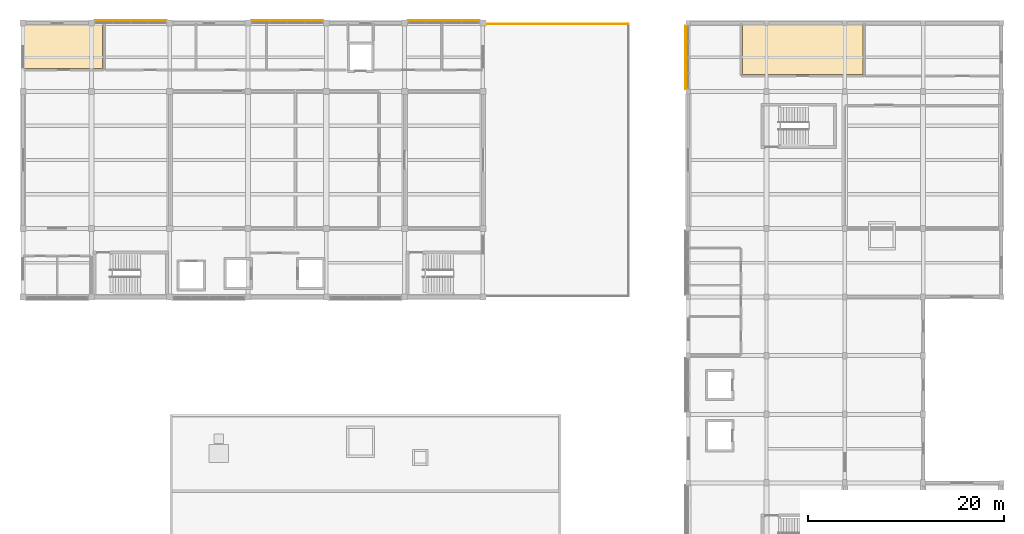
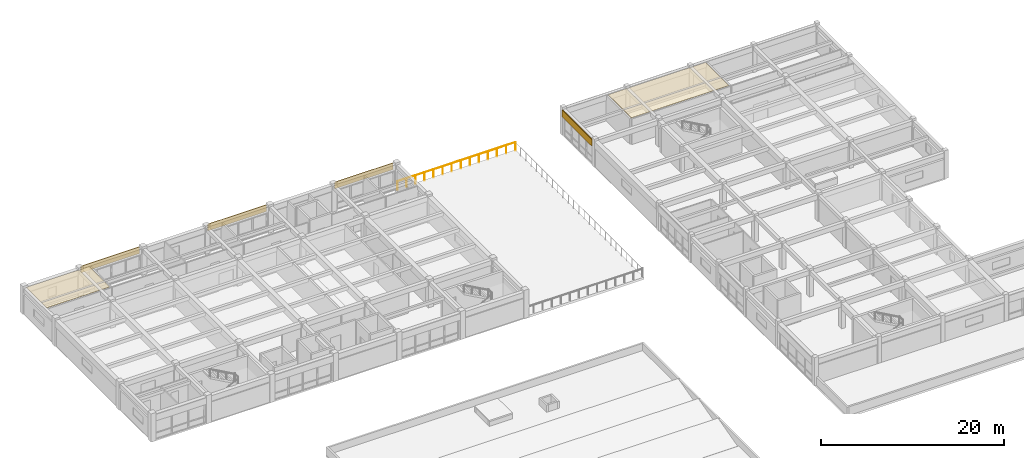
# One storey, part 22 of 22: 6 coverings, 1 railing.
"""IFC4 building model written with IfcOpenShell, lengths in metres."""

from ifc_helpers import new_model, si_unit, direction, frame, origin, origin_2d, place, context, subcontext, project, spatial, polyline, rectangle, circle, outline, extrude, material, layer, layer_set, type_object, element, save


model = new_model("IFC4")

# Units and contexts
model_context = context("Model", 3, precision=1e-05, world=origin(), true_north=direction((0.0, 1.0)))
body_context = subcontext(model_context, "Body", "Model", "MODEL_VIEW")
ifc_project = project(units=[si_unit("LENGTHUNIT", "METRE"), si_unit("AREAUNIT", "SQUARE_METRE"), si_unit("VOLUMEUNIT", "CUBIC_METRE"), si_unit("PLANEANGLEUNIT", "RADIAN"), si_unit("MASSUNIT", "GRAM", prefix="KILO")], contexts=[model_context])

# Site, building, storey
site_placement = place(None, origin())
site = spatial("IfcSite", under=ifc_project, at=site_placement, CompositionType="ELEMENT")
building_placement = place(site_placement, origin())
building = spatial("IfcBuilding", under=site, at=building_placement, Name="Naurynzar Civic Courthouse", CompositionType="ELEMENT")
storey_placement = place(building_placement, frame((0.0, 0.0, 25.800048828125)))
storey = spatial("IfcBuildingStorey", under=building, at=storey_placement, Name="L07", CompositionType="ELEMENT", Elevation=25.800048828125)

# Coverings
ifc_material_1 = material(Name="Mineral Fibre Acoustic Ceiling")
ifc_layer_1 = layer(ifc_material_1, 0.030029296875)
ifc_layer_set_1 = layer_set([ifc_layer_1], Name="CEIL-MINERAL-30")
covering_type_1 = type_object("IfcCoveringType", Name="CEIL-MINERAL-30", PredefinedType="CEILING", material=ifc_layer_set_1)
covering_1_placement = place(storey_placement, frame((0.0, 0.0, 3.364990234375)))
element("IfcCovering", 1, at=covering_1_placement, inside=storey, type_object=covering_type_1, Name="Acoustic suspended ceiling Jury Room L07-N", PredefinedType="CEILING", context=body_context, shape_type="SweptSolid", body=[
    extrude(outline(polyline([(70.139892578125, 67.360107421875), (62.159912109375, 67.360107421875), (62.159912109375, 71.840087890625), (70.139892578125, 71.840087890625), (70.139892578125, 67.360107421875)])), origin(), (0.0, 0.0, 1.0), 0.030029296875),
])
covering_2_placement = place(storey_placement, frame((0.0, 0.0, 3.364990234375)))
element("IfcCovering", 2, at=covering_2_placement, inside=storey, type_object=covering_type_1, Name="Acoustic suspended ceiling Jury Deliberation Room 7-V5", PredefinedType="CEILING", context=body_context, shape_type="SweptSolid", body=[
    extrude(outline(polyline([(135.56005859375, 71.840087890625), (147.840087890625, 71.840087890625), (147.840087890625, 66.760009765625), (135.56005859375, 66.760009765625), (135.56005859375, 71.840087890625)])), origin(), (0.0, 0.0, 1.0), 0.030029296875),
])
ifc_material_2 = material(Name="Precast concrete C40/50", Category="concrete")
ifc_layer_2 = layer(ifc_material_2, 0.080078125)
ifc_layer_set_2 = layer_set([ifc_layer_2], Name="COV-CLAD-PRECAST-80")
covering_type_2 = type_object("IfcCoveringType", Name="COV-CLAD-PRECAST-80", PredefinedType="CLADDING", material=ifc_layer_set_2)
for number, where, z_axis, x_axis, name in (
    (3, (73.0, 72.2548828125, 2.599853515625), (0.0, 0.0, 1.0), (1.0, 0.0, 0.0), "V2 precast spandrel cladding 48"),
    (4, (89.0, 72.2548828125, 2.599853515625), (0.0, 0.0, 1.0), (1.0, 0.0, 0.0), "V2 precast spandrel cladding 49"),
    (5, (105.0, 72.2548828125, 2.599853515625), (0.0, 0.0, 1.0), (1.0, 0.0, 0.0), "V2 precast spandrel cladding 50"),
):
    element("IfcCovering", number, at=place(storey_placement, frame(where, z_axis=z_axis, x_axis=x_axis)), inside=storey, type_object=covering_type_2, Name=name, PredefinedType="CLADDING", context=body_context, shape_type="SweptSolid", body=[
        extrude(rectangle(XDim=7.375, YDim=0.080078125, at=origin_2d()), origin(), (0.0, 0.0, 1.0), 0.8701171875),
    ])
covering_3_placement = place(storey_placement, frame((129.7451171875, 68.5, 2.550048828125), z_axis=(0.0, 0.0, 1.0), x_axis=(0.0, 1.0, 0.0)))
element("IfcCovering", 6, at=covering_3_placement, inside=storey, type_object=covering_type_2, Name="V5 precast spandrel cladding 115", PredefinedType="CLADDING", context=body_context, shape_type="SweptSolid", body=[
    extrude(rectangle(XDim=6.5, YDim=0.080078125, at=origin_2d()), origin(), (0.0, 0.0, 1.0), 0.919921875),
])

# Railing
ifc_material_3 = material(Name="Brushed Stainless Steel 304", Category="steel")
railing_type = type_object("IfcRailingType", Name="RAIL-BAL-1100", PredefinedType="BALUSTRADE", material=ifc_material_3)
railing_placement = place(storey_placement, frame((123.89990234375, 71.89990234375, 0.0)))
element("IfcRailing", 7, at=railing_placement, inside=storey, type_object=railing_type, Name="Roof garden perimeter balustrade guard GR-RG-V2E.3", PredefinedType="BALUSTRADE", context=body_context, shape_type="SweptSolid", body=[
    extrude(circle(Radius=0.02392578125, at=origin_2d()), frame((0.0, 0.0, 1.09619140625), z_axis=(-1.0, 0.0, 0.0), x_axis=(0.0, -1.0, 0.0)), (0.0, 0.0, 1.0), 14.8798828125),
    extrude(circle(Radius=0.02099609375, at=origin_2d()), origin(), (0.0, 0.0, 1.0), 1.072021484375),
    extrude(circle(Radius=0.02099609375, at=origin_2d()), frame((-1.14453125, 0.0, 0.0)), (0.0, 0.0, 1.0), 1.072021484375),
    extrude(circle(Radius=0.02099609375, at=origin_2d()), frame((-2.289306640625, 0.0, 0.0)), (0.0, 0.0, 1.0), 1.072021484375),
    extrude(circle(Radius=0.02099609375, at=origin_2d()), frame((-3.433837890625, 0.0, 0.0)), (0.0, 0.0, 1.0), 1.072021484375),
    extrude(circle(Radius=0.02099609375, at=origin_2d()), frame((-4.578369140625, 0.0, 0.0)), (0.0, 0.0, 1.0), 1.072021484375),
    extrude(circle(Radius=0.02099609375, at=origin_2d()), frame((-5.72314453125, 0.0, 0.0)), (0.0, 0.0, 1.0), 1.072021484375),
    extrude(circle(Radius=0.02099609375, at=origin_2d()), frame((-6.86767578125, 0.0, 0.0)), (0.0, 0.0, 1.0), 1.072021484375),
    extrude(circle(Radius=0.02099609375, at=origin_2d()), frame((-8.01220703125, 0.0, 0.0)), (0.0, 0.0, 1.0), 1.072021484375),
    extrude(circle(Radius=0.02099609375, at=origin_2d()), frame((-9.15673828125, 0.0, 0.0)), (0.0, 0.0, 1.0), 1.072021484375),
    extrude(circle(Radius=0.02099609375, at=origin_2d()), frame((-10.301513671875, 0.0, 0.0)), (0.0, 0.0, 1.0), 1.072021484375),
    extrude(circle(Radius=0.02099609375, at=origin_2d()), frame((-11.446044921875, 0.0, 0.0)), (0.0, 0.0, 1.0), 1.072021484375),
    extrude(circle(Radius=0.02099609375, at=origin_2d()), frame((-12.590576171875, 0.0, 0.0)), (0.0, 0.0, 1.0), 1.072021484375),
    extrude(circle(Radius=0.02099609375, at=origin_2d()), frame((-13.7353515625, 0.0, 0.0)), (0.0, 0.0, 1.0), 1.072021484375),
    extrude(circle(Radius=0.02099609375, at=origin_2d()), frame((-14.8798828125, 0.0, 0.0)), (0.0, 0.0, 1.0), 1.072021484375),
])

save(model, "model.ifc")
